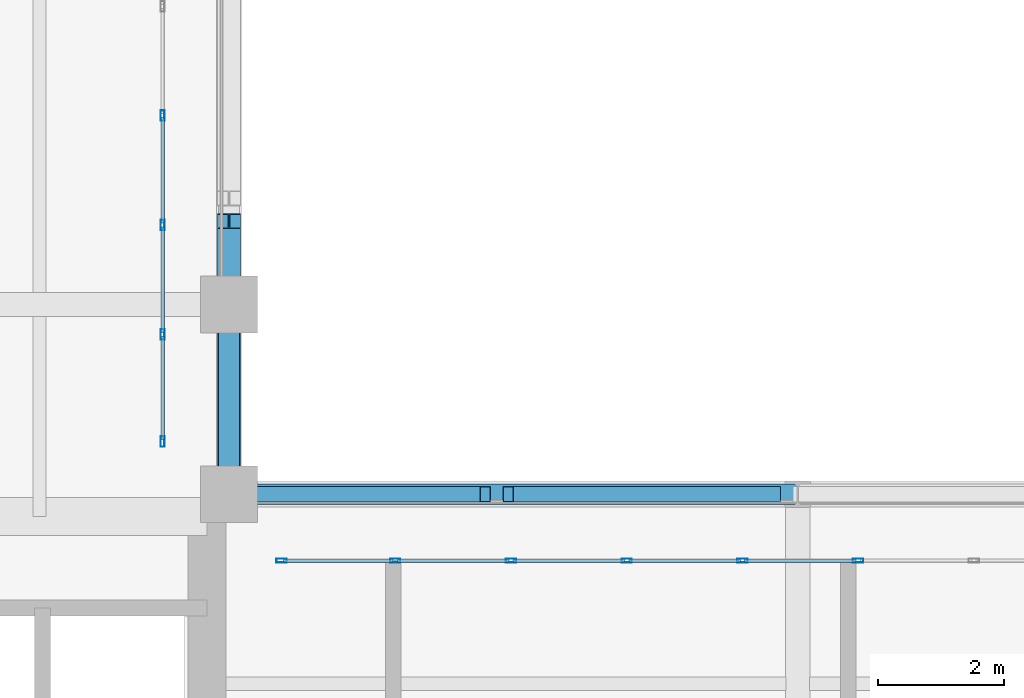
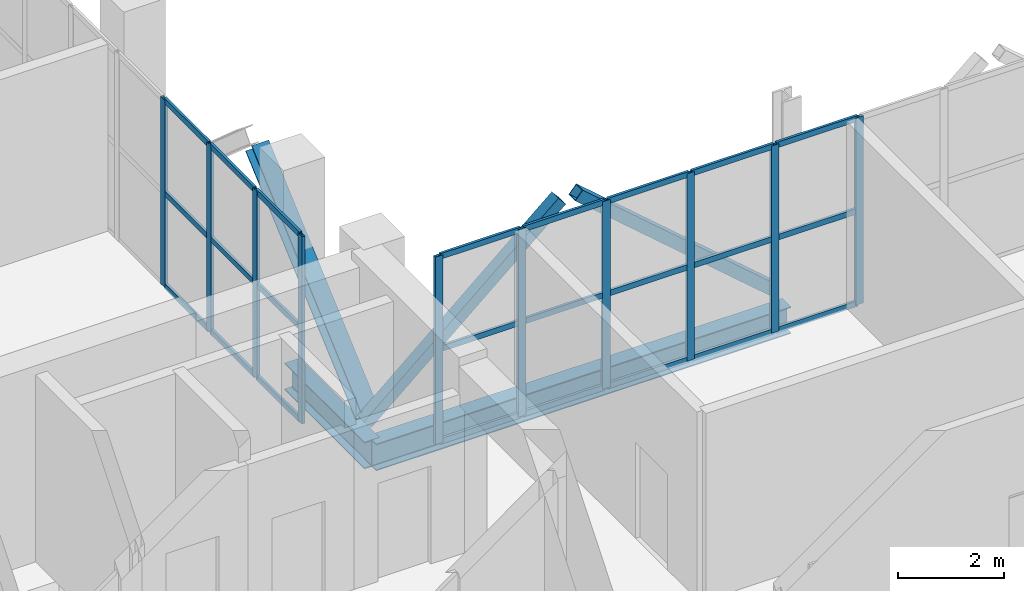
# One storey, part 6 of 26: 37 members, 2 beams, 2 elements without a shape of their own.
"""IFC4 building model written with IfcOpenShell, lengths in metres."""

from ifc_helpers import new_model, si_unit, direction, frame, origin, origin_2d, place, context, subcontext, project, spatial, hollow_rectangle, i_section, extrude, material, layer, layer_set, material_profile, profile_set, type_object, element, aggregate, save


model = new_model("IFC4")

# Units and contexts
model_context = context("Model", 3, precision=1e-05, world=origin(), true_north=direction((0.0, 1.0)))
body_context = subcontext(model_context, "Body", "Model", "MODEL_VIEW")
ifc_project = project(units=[si_unit("LENGTHUNIT", "METRE"), si_unit("AREAUNIT", "SQUARE_METRE"), si_unit("VOLUMEUNIT", "CUBIC_METRE"), si_unit("PLANEANGLEUNIT", "RADIAN"), si_unit("MASSUNIT", "GRAM", prefix="KILO")], contexts=[model_context])

# Site, building, storey
site_placement = place(None, origin())
site = spatial("IfcSite", under=ifc_project, at=site_placement, CompositionType="ELEMENT")
building_placement = place(site_placement, origin())
building = spatial("IfcBuilding", under=site, at=building_placement, Name="Mawjdan Bourse Tower", CompositionType="ELEMENT")
storey_placement = place(building_placement, frame((0.0, 0.0, 226.800048828125)))
storey = spatial("IfcBuildingStorey", under=building, at=storey_placement, Name="L55", CompositionType="ELEMENT", Elevation=226.800048828125)

# Members
ifc_material_1 = material(Name="Structural Steel S355", Category="steel")
ifc_material_profile_1 = material_profile(ifc_material_1, hollow_rectangle(XDim=0.25, YDim=0.25, WallThickness=0.012451171875, at=origin_2d()), Name="HSS250X250X12.5")
ifc_profile_set_1 = profile_set([ifc_material_profile_1], Name="Structural Steel S355")
member_type_1 = type_object("IfcMemberType", Name="BRC-HSS250X250X12.5", PredefinedType="BRACE", material=ifc_profile_set_1)
member_1_placement = place(storey_placement, frame((23.83349609375, 21.0, 0.199951171875), z_axis=(0.756383065472, 0.0, 0.65412893092), x_axis=(0.0, 1.0, 0.0)))
element("IfcMember", 1, at=member_1_placement, inside=storey, type_object=member_type_1, Name="L55 East Outrigger Truss 2 Diagonal 1", PredefinedType="BRACE", context=body_context, shape_type="SweptSolid", body=[
    extrude(hollow_rectangle(XDim=0.25, YDim=0.25, WallThickness=0.012451171875, at=origin_2d()), origin(), (0.0, 0.0, 1.0), 5.579833984375),
])
member_2_placement = place(storey_placement, frame((28.4208984375, 21.0, 3.849853515625), z_axis=(0.756401786398, 0.0, -0.654107282893), x_axis=(0.0, 1.0, 0.0)))
element("IfcMember", 2, at=member_2_placement, inside=storey, type_object=member_type_1, Name="L55 East Outrigger Truss 2 Diagonal 2", PredefinedType="BRACE", context=body_context, shape_type="SweptSolid", body=[
    extrude(hollow_rectangle(XDim=0.25, YDim=0.25, WallThickness=0.012451171875, at=origin_2d()), origin(), (0.0, 0.0, 1.0), 5.580078125),
])
ifc_material_2 = material(Name="Structural Steel S460", Category="steel")
ifc_material_profile_2 = material_profile(ifc_material_2, i_section(OverallWidth=0.3701171875, OverallDepth=0.360107421875, WebThickness=0.01220703125, FlangeThickness=0.019775390625, FilletRadius=0.015869140625, at=origin_2d()), Name="W14X99")
ifc_profile_set_2 = profile_set([ifc_material_profile_2], Name="Structural Steel S460")
member_type_2 = type_object("IfcMemberType", Name="BRC-W14X99", PredefinedType="BRACE", material=ifc_profile_set_2)
member_3_placement = place(storey_placement, frame((24.0, 21.179931640625, 0.199951171875), z_axis=(0.0, 0.750121779504, 0.661299717159), x_axis=(-1.0, 0.0, 0.0)))
element("IfcMember", 3, at=member_3_placement, inside=storey, type_object=member_type_2, Name="L55 North Wing Perimeter Belt Truss Diagonal 1", PredefinedType="BRACE", context=body_context, shape_type="SweptSolid", body=[
    extrude(i_section(OverallWidth=0.3701171875, OverallDepth=0.360107421875, WebThickness=0.01220703125, FlangeThickness=0.019775390625, FilletRadius=0.015869140625, at=origin_2d()), origin(), (0.0, 0.0, 1.0), 5.519287109375),
])

# Curtain wall, members
ifc_material_3 = material(Name="Thermally Broken Aluminium and Solar Glass", Category="aluminium")
ifc_layer = layer(ifc_material_3, 0.219970703125)
ifc_layer_set = layer_set([ifc_layer], Name="Thermally Broken Aluminium and Solar Glass")
curtain_wall_type = type_object("IfcCurtainWallType", Name="CW-RFG", PredefinedType="USERDEFINED", material=ifc_layer_set)
curtain_wall_1_placement = place(storey_placement, origin())
curtain_wall_1 = element("IfcCurtainWall", 4, at=curtain_wall_1_placement, inside=storey, type_object=curtain_wall_type, Name="L55 Refuge Band North Louvre Curtain Wall", ObjectType="REFUGE BAND LOUVRE SCREEN", PredefinedType="USERDEFINED")
ifc_material_4 = material(Name="Thermally Broken Anodised Aluminium", Category="aluminium")
ifc_material_profile_3 = material_profile(ifc_material_4, hollow_rectangle(XDim=0.06494140625, YDim=0.1650390625, WallThickness=0.00390625, at=origin_2d()), Name="ALU-MUL-165X65")
ifc_profile_set_3 = profile_set([ifc_material_profile_3], Name="Thermally Broken Anodised Aluminium")
member_type_3 = type_object("IfcMemberType", Name="MUL-ALU-MUL-165X65", PredefinedType="MULLION", material=ifc_profile_set_3)
member_4_placement = place(storey_placement, frame((33.956298828125, 19.949951171875, 0.0), z_axis=(0.0, 0.0, 1.0), x_axis=(0.0, -1.0, 0.0)))
member_4 = element("IfcMember", 5, at=member_4_placement, type_object=member_type_3, Name="CW-RFG-L55-RFG-N mullion 12", PredefinedType="MULLION", context=body_context, shape_type="SweptSolid", body=[
    extrude(hollow_rectangle(XDim=0.06494140625, YDim=0.1650390625, WallThickness=0.00390625, at=origin_2d()), origin(), (0.0, 0.0, 1.0), 4.300048828125),
])
member_5_placement = place(storey_placement, frame((32.125, 19.949951171875, 0.0), z_axis=(0.0, 0.0, 1.0), x_axis=(0.0, -1.0, 0.0)))
member_5 = element("IfcMember", 6, at=member_5_placement, type_object=member_type_3, Name="CW-RFG-L55-RFG-N mullion 13", PredefinedType="MULLION", context=body_context, shape_type="SweptSolid", body=[
    extrude(hollow_rectangle(XDim=0.06494140625, YDim=0.1650390625, WallThickness=0.00390625, at=origin_2d()), origin(), (0.0, 0.0, 1.0), 4.300048828125),
])
member_6_placement = place(storey_placement, frame((30.293701171875, 19.949951171875, 0.0), z_axis=(0.0, 0.0, 1.0), x_axis=(0.0, -1.0, 0.0)))
member_6 = element("IfcMember", 7, at=member_6_placement, type_object=member_type_3, Name="CW-RFG-L55-RFG-N mullion 14", PredefinedType="MULLION", context=body_context, shape_type="SweptSolid", body=[
    extrude(hollow_rectangle(XDim=0.06494140625, YDim=0.1650390625, WallThickness=0.00390625, at=origin_2d()), origin(), (0.0, 0.0, 1.0), 4.300048828125),
])
member_7_placement = place(storey_placement, frame((28.46240234375, 19.949951171875, 0.0), z_axis=(0.0, 0.0, 1.0), x_axis=(0.0, -1.0, 0.0)))
member_7 = element("IfcMember", 8, at=member_7_placement, type_object=member_type_3, Name="CW-RFG-L55-RFG-N mullion 15", PredefinedType="MULLION", context=body_context, shape_type="SweptSolid", body=[
    extrude(hollow_rectangle(XDim=0.06494140625, YDim=0.1650390625, WallThickness=0.00390625, at=origin_2d()), origin(), (0.0, 0.0, 1.0), 4.300048828125),
])
member_8_placement = place(storey_placement, frame((26.63134765625, 19.949951171875, 0.0), z_axis=(0.0, 0.0, 1.0), x_axis=(0.0, -1.0, 0.0)))
member_8 = element("IfcMember", 9, at=member_8_placement, type_object=member_type_3, Name="CW-RFG-L55-RFG-N mullion 16", PredefinedType="MULLION", context=body_context, shape_type="SweptSolid", body=[
    extrude(hollow_rectangle(XDim=0.06494140625, YDim=0.1650390625, WallThickness=0.00390625, at=origin_2d()), origin(), (0.0, 0.0, 1.0), 4.300048828125),
])
member_9_placement = place(storey_placement, frame((24.83251953125, 19.949951171875, 0.0), z_axis=(0.0, 0.0, 1.0), x_axis=(0.0, -1.0, 0.0)))
member_9 = element("IfcMember", 10, at=member_9_placement, type_object=member_type_3, Name="CW-RFG-L55-RFG-N mullion 17", PredefinedType="MULLION", context=body_context, shape_type="SweptSolid", body=[
    extrude(hollow_rectangle(XDim=0.06494140625, YDim=0.1650390625, WallThickness=0.00390625, at=origin_2d()), origin(), (0.0, 0.0, 1.0), 4.300048828125),
])

curtain_wall_2_placement = place(storey_placement, origin())
curtain_wall_2 = element("IfcCurtainWall", 11, at=curtain_wall_2_placement, inside=storey, type_object=curtain_wall_type, Name="L55 Refuge Band North-Wing Louvre Curtain Wall", ObjectType="REFUGE BAND LOUVRE SCREEN", PredefinedType="USERDEFINED")
member_10_placement = place(storey_placement, frame((22.949951171875, 21.83251953125, 0.0), z_axis=(0.0, 0.0, 1.0), x_axis=(-1.0, 0.0, 0.0)))
member_10 = element("IfcMember", 12, at=member_10_placement, type_object=member_type_3, Name="CW-RFG-L55-RFG-W mullion 1", PredefinedType="MULLION", context=body_context, shape_type="SweptSolid", body=[
    extrude(hollow_rectangle(XDim=0.06494140625, YDim=0.1650390625, WallThickness=0.00390625, at=origin_2d()), origin(), (0.0, 0.0, 1.0), 4.300048828125),
])
member_11_placement = place(storey_placement, frame((22.949951171875, 23.530029296875, 0.0), z_axis=(0.0, 0.0, 1.0), x_axis=(-1.0, 0.0, 0.0)))
member_11 = element("IfcMember", 13, at=member_11_placement, type_object=member_type_3, Name="CW-RFG-L55-RFG-W mullion 2", PredefinedType="MULLION", context=body_context, shape_type="SweptSolid", body=[
    extrude(hollow_rectangle(XDim=0.06494140625, YDim=0.1650390625, WallThickness=0.00390625, at=origin_2d()), origin(), (0.0, 0.0, 1.0), 4.300048828125),
])
member_12_placement = place(storey_placement, frame((22.949951171875, 25.260009765625, 0.0), z_axis=(0.0, 0.0, 1.0), x_axis=(-1.0, 0.0, 0.0)))
member_12 = element("IfcMember", 14, at=member_12_placement, type_object=member_type_3, Name="CW-RFG-L55-RFG-W mullion 3", PredefinedType="MULLION", context=body_context, shape_type="SweptSolid", body=[
    extrude(hollow_rectangle(XDim=0.06494140625, YDim=0.1650390625, WallThickness=0.00390625, at=origin_2d()), origin(), (0.0, 0.0, 1.0), 4.300048828125),
])
member_13_placement = place(storey_placement, frame((22.949951171875, 26.989990234375, 0.0), z_axis=(0.0, 0.0, 1.0), x_axis=(-1.0, 0.0, 0.0)))
member_13 = element("IfcMember", 15, at=member_13_placement, type_object=member_type_3, Name="CW-RFG-L55-RFG-W mullion 4", PredefinedType="MULLION", context=body_context, shape_type="SweptSolid", body=[
    extrude(hollow_rectangle(XDim=0.06494140625, YDim=0.1650390625, WallThickness=0.00390625, at=origin_2d()), origin(), (0.0, 0.0, 1.0), 4.300048828125),
])

# Beams
ifc_material_profile_4 = material_profile(ifc_material_1, i_section(OverallWidth=0.324951171875, OverallDepth=0.616943359375, WebThickness=0.013916015625, FlangeThickness=0.021484375, FilletRadius=0.017333984375, at=origin_2d()), Name="W24X117")
ifc_profile_set_4 = profile_set([ifc_material_profile_4], Name="Structural Steel S355")
beam_type = type_object("IfcBeamType", Name="SPN-W24X117", PredefinedType="SPANDREL", material=ifc_profile_set_4)
beam_1_placement = place(storey_placement, frame((24.0, 21.0, -0.588623046875), z_axis=(1.0, 0.0, 0.0), x_axis=(0.0, 1.0, 0.0)))
element("IfcBeam", 16, at=beam_1_placement, inside=storey, type_object=beam_type, Name="L55 Perimeter Masonry-Shelf Spandrel 012", PredefinedType="SPANDREL", context=body_context, shape_type="SweptSolid", body=[
    extrude(i_section(OverallWidth=0.324951171875, OverallDepth=0.616943359375, WebThickness=0.013916015625, FlangeThickness=0.021484375, FilletRadius=0.017333984375, at=origin_2d()), origin(), (0.0, 0.0, 1.0), 9.0),
])
beam_2_placement = place(storey_placement, frame((24.0, 21.0, -0.588623046875), z_axis=(0.0, 1.0, 0.0), x_axis=(-1.0, 0.0, 0.0)))
element("IfcBeam", 17, at=beam_2_placement, inside=storey, type_object=beam_type, Name="L55 North Wing Spandrel 055", PredefinedType="SPANDREL", context=body_context, shape_type="SweptSolid", body=[
    extrude(i_section(OverallWidth=0.324951171875, OverallDepth=0.616943359375, WebThickness=0.013916015625, FlangeThickness=0.021484375, FilletRadius=0.017333984375, at=origin_2d()), origin(), (0.0, 0.0, 1.0), 3.0),
])

# Member
ifc_material_profile_5 = material_profile(ifc_material_4, hollow_rectangle(XDim=0.054931640625, YDim=0.1298828125, WallThickness=0.00341796875, at=origin_2d()), Name="ALU-TRN-130X55")
ifc_profile_set_5 = profile_set([ifc_material_profile_5], Name="Thermally Broken Anodised Aluminium")
member_type_4 = type_object("IfcMemberType", Name="TRN-ALU-TRN-130X55", PredefinedType="USERDEFINED", material=ifc_profile_set_5)
member_14_placement = place(storey_placement, frame((33.923828125, 19.949951171875, 0.02734375), z_axis=(-1.0, 0.0, 0.0), x_axis=(0.0, -1.0, 0.0)))
member_14 = element("IfcMember", 18, at=member_14_placement, type_object=member_type_4, Name="CW-RFG-L55-RFG-N transom 12.1", ObjectType="TRANSOM", PredefinedType="USERDEFINED", context=body_context, shape_type="SweptSolid", body=[
    extrude(hollow_rectangle(XDim=0.054931640625, YDim=0.1298828125, WallThickness=0.00341796875, at=origin_2d()), origin(), (0.0, 0.0, 1.0), 1.766357421875),
])

member_15_placement = place(storey_placement, frame((33.923828125, 19.949951171875, 2.14990234375), z_axis=(-1.0, 0.0, 0.0), x_axis=(0.0, -1.0, 0.0)))
member_15 = element("IfcMember", 19, at=member_15_placement, type_object=member_type_4, Name="CW-RFG-L55-RFG-N transom 12.2", ObjectType="TRANSOM", PredefinedType="USERDEFINED", context=body_context, shape_type="SweptSolid", body=[
    extrude(hollow_rectangle(XDim=0.054931640625, YDim=0.1298828125, WallThickness=0.00341796875, at=origin_2d()), origin(), (0.0, 0.0, 1.0), 1.766357421875),
])

member_16_placement = place(storey_placement, frame((33.923828125, 19.949951171875, 4.2724609375), z_axis=(-1.0, 0.0, 0.0), x_axis=(0.0, -1.0, 0.0)))
member_16 = element("IfcMember", 20, at=member_16_placement, type_object=member_type_4, Name="CW-RFG-L55-RFG-N transom 12.3", ObjectType="TRANSOM", PredefinedType="USERDEFINED", context=body_context, shape_type="SweptSolid", body=[
    extrude(hollow_rectangle(XDim=0.054931640625, YDim=0.1298828125, WallThickness=0.00341796875, at=origin_2d()), origin(), (0.0, 0.0, 1.0), 1.766357421875),
])

member_17_placement = place(storey_placement, frame((32.092529296875, 19.949951171875, 0.02734375), z_axis=(-1.0, 0.0, 0.0), x_axis=(0.0, -1.0, 0.0)))
member_17 = element("IfcMember", 21, at=member_17_placement, type_object=member_type_4, Name="CW-RFG-L55-RFG-N transom 13.1", ObjectType="TRANSOM", PredefinedType="USERDEFINED", context=body_context, shape_type="SweptSolid", body=[
    extrude(hollow_rectangle(XDim=0.054931640625, YDim=0.1298828125, WallThickness=0.00341796875, at=origin_2d()), origin(), (0.0, 0.0, 1.0), 1.766357421875),
])

member_18_placement = place(storey_placement, frame((32.092529296875, 19.949951171875, 2.14990234375), z_axis=(-1.0, 0.0, 0.0), x_axis=(0.0, -1.0, 0.0)))
member_18 = element("IfcMember", 22, at=member_18_placement, type_object=member_type_4, Name="CW-RFG-L55-RFG-N transom 13.2", ObjectType="TRANSOM", PredefinedType="USERDEFINED", context=body_context, shape_type="SweptSolid", body=[
    extrude(hollow_rectangle(XDim=0.054931640625, YDim=0.1298828125, WallThickness=0.00341796875, at=origin_2d()), origin(), (0.0, 0.0, 1.0), 1.766357421875),
])

member_19_placement = place(storey_placement, frame((32.092529296875, 19.949951171875, 4.2724609375), z_axis=(-1.0, 0.0, 0.0), x_axis=(0.0, -1.0, 0.0)))
member_19 = element("IfcMember", 23, at=member_19_placement, type_object=member_type_4, Name="CW-RFG-L55-RFG-N transom 13.3", ObjectType="TRANSOM", PredefinedType="USERDEFINED", context=body_context, shape_type="SweptSolid", body=[
    extrude(hollow_rectangle(XDim=0.054931640625, YDim=0.1298828125, WallThickness=0.00341796875, at=origin_2d()), origin(), (0.0, 0.0, 1.0), 1.766357421875),
])

member_20_placement = place(storey_placement, frame((30.26123046875, 19.949951171875, 0.02734375), z_axis=(-1.0, 0.0, 0.0), x_axis=(0.0, -1.0, 0.0)))
member_20 = element("IfcMember", 24, at=member_20_placement, type_object=member_type_4, Name="CW-RFG-L55-RFG-N transom 14.1", ObjectType="TRANSOM", PredefinedType="USERDEFINED", context=body_context, shape_type="SweptSolid", body=[
    extrude(hollow_rectangle(XDim=0.054931640625, YDim=0.1298828125, WallThickness=0.00341796875, at=origin_2d()), origin(), (0.0, 0.0, 1.0), 1.76611328125),
])

member_21_placement = place(storey_placement, frame((30.26123046875, 19.949951171875, 2.14990234375), z_axis=(-1.0, 0.0, 0.0), x_axis=(0.0, -1.0, 0.0)))
member_21 = element("IfcMember", 25, at=member_21_placement, type_object=member_type_4, Name="CW-RFG-L55-RFG-N transom 14.2", ObjectType="TRANSOM", PredefinedType="USERDEFINED", context=body_context, shape_type="SweptSolid", body=[
    extrude(hollow_rectangle(XDim=0.054931640625, YDim=0.1298828125, WallThickness=0.00341796875, at=origin_2d()), origin(), (0.0, 0.0, 1.0), 1.76611328125),
])

member_22_placement = place(storey_placement, frame((30.26123046875, 19.949951171875, 4.2724609375), z_axis=(-1.0, 0.0, 0.0), x_axis=(0.0, -1.0, 0.0)))
member_22 = element("IfcMember", 26, at=member_22_placement, type_object=member_type_4, Name="CW-RFG-L55-RFG-N transom 14.3", ObjectType="TRANSOM", PredefinedType="USERDEFINED", context=body_context, shape_type="SweptSolid", body=[
    extrude(hollow_rectangle(XDim=0.054931640625, YDim=0.1298828125, WallThickness=0.00341796875, at=origin_2d()), origin(), (0.0, 0.0, 1.0), 1.76611328125),
])

member_23_placement = place(storey_placement, frame((28.429931640625, 19.949951171875, 0.02734375), z_axis=(-1.0, 0.0, 0.0), x_axis=(0.0, -1.0, 0.0)))
member_23 = element("IfcMember", 27, at=member_23_placement, type_object=member_type_4, Name="CW-RFG-L55-RFG-N transom 15.1", ObjectType="TRANSOM", PredefinedType="USERDEFINED", context=body_context, shape_type="SweptSolid", body=[
    extrude(hollow_rectangle(XDim=0.054931640625, YDim=0.1298828125, WallThickness=0.00341796875, at=origin_2d()), origin(), (0.0, 0.0, 1.0), 1.76611328125),
])

member_24_placement = place(storey_placement, frame((28.429931640625, 19.949951171875, 2.14990234375), z_axis=(-1.0, 0.0, 0.0), x_axis=(0.0, -1.0, 0.0)))
member_24 = element("IfcMember", 28, at=member_24_placement, type_object=member_type_4, Name="CW-RFG-L55-RFG-N transom 15.2", ObjectType="TRANSOM", PredefinedType="USERDEFINED", context=body_context, shape_type="SweptSolid", body=[
    extrude(hollow_rectangle(XDim=0.054931640625, YDim=0.1298828125, WallThickness=0.00341796875, at=origin_2d()), origin(), (0.0, 0.0, 1.0), 1.76611328125),
])

member_25_placement = place(storey_placement, frame((28.429931640625, 19.949951171875, 4.2724609375), z_axis=(-1.0, 0.0, 0.0), x_axis=(0.0, -1.0, 0.0)))
member_25 = element("IfcMember", 29, at=member_25_placement, type_object=member_type_4, Name="CW-RFG-L55-RFG-N transom 15.3", ObjectType="TRANSOM", PredefinedType="USERDEFINED", context=body_context, shape_type="SweptSolid", body=[
    extrude(hollow_rectangle(XDim=0.054931640625, YDim=0.1298828125, WallThickness=0.00341796875, at=origin_2d()), origin(), (0.0, 0.0, 1.0), 1.76611328125),
])

member_26_placement = place(storey_placement, frame((26.5986328125, 19.949951171875, 0.02734375), z_axis=(-1.0, 0.0, 0.0), x_axis=(0.0, -1.0, 0.0)))
member_26 = element("IfcMember", 30, at=member_26_placement, type_object=member_type_4, Name="CW-RFG-L55-RFG-N transom 16.1", ObjectType="TRANSOM", PredefinedType="USERDEFINED", context=body_context, shape_type="SweptSolid", body=[
    extrude(hollow_rectangle(XDim=0.054931640625, YDim=0.1298828125, WallThickness=0.00341796875, at=origin_2d()), origin(), (0.0, 0.0, 1.0), 1.733642578125),
])

member_27_placement = place(storey_placement, frame((26.5986328125, 19.949951171875, 2.14990234375), z_axis=(-1.0, 0.0, 0.0), x_axis=(0.0, -1.0, 0.0)))
member_27 = element("IfcMember", 31, at=member_27_placement, type_object=member_type_4, Name="CW-RFG-L55-RFG-N transom 16.2", ObjectType="TRANSOM", PredefinedType="USERDEFINED", context=body_context, shape_type="SweptSolid", body=[
    extrude(hollow_rectangle(XDim=0.054931640625, YDim=0.1298828125, WallThickness=0.00341796875, at=origin_2d()), origin(), (0.0, 0.0, 1.0), 1.733642578125),
])

member_28_placement = place(storey_placement, frame((26.5986328125, 19.949951171875, 4.2724609375), z_axis=(-1.0, 0.0, 0.0), x_axis=(0.0, -1.0, 0.0)))
member_28 = element("IfcMember", 32, at=member_28_placement, type_object=member_type_4, Name="CW-RFG-L55-RFG-N transom 16.3", ObjectType="TRANSOM", PredefinedType="USERDEFINED", context=body_context, shape_type="SweptSolid", body=[
    extrude(hollow_rectangle(XDim=0.054931640625, YDim=0.1298828125, WallThickness=0.00341796875, at=origin_2d()), origin(), (0.0, 0.0, 1.0), 1.733642578125),
])

aggregate(curtain_wall_1, [member_4, member_5, member_6, member_7, member_8, member_9, member_14, member_15, member_16, member_17, member_18, member_19, member_20, member_21, member_22, member_23, member_24, member_25, member_26, member_27, member_28])

member_29_placement = place(storey_placement, frame((22.949951171875, 21.864990234375, 0.02734375), z_axis=(0.0, 1.0, 0.0), x_axis=(-1.0, 0.0, 0.0)))
member_29 = element("IfcMember", 33, at=member_29_placement, type_object=member_type_4, Name="CW-RFG-L55-RFG-W transom 1.1", ObjectType="TRANSOM", PredefinedType="USERDEFINED", context=body_context, shape_type="SweptSolid", body=[
    extrude(hollow_rectangle(XDim=0.054931640625, YDim=0.1298828125, WallThickness=0.00341796875, at=origin_2d()), origin(), (0.0, 0.0, 1.0), 1.632568359375),
])

member_30_placement = place(storey_placement, frame((22.949951171875, 21.864990234375, 2.14990234375), z_axis=(0.0, 1.0, 0.0), x_axis=(-1.0, 0.0, 0.0)))
member_30 = element("IfcMember", 34, at=member_30_placement, type_object=member_type_4, Name="CW-RFG-L55-RFG-W transom 1.2", ObjectType="TRANSOM", PredefinedType="USERDEFINED", context=body_context, shape_type="SweptSolid", body=[
    extrude(hollow_rectangle(XDim=0.054931640625, YDim=0.1298828125, WallThickness=0.00341796875, at=origin_2d()), origin(), (0.0, 0.0, 1.0), 1.632568359375),
])

member_31_placement = place(storey_placement, frame((22.949951171875, 21.864990234375, 4.2724609375), z_axis=(0.0, 1.0, 0.0), x_axis=(-1.0, 0.0, 0.0)))
member_31 = element("IfcMember", 35, at=member_31_placement, type_object=member_type_4, Name="CW-RFG-L55-RFG-W transom 1.3", ObjectType="TRANSOM", PredefinedType="USERDEFINED", context=body_context, shape_type="SweptSolid", body=[
    extrude(hollow_rectangle(XDim=0.054931640625, YDim=0.1298828125, WallThickness=0.00341796875, at=origin_2d()), origin(), (0.0, 0.0, 1.0), 1.632568359375),
])

member_32_placement = place(storey_placement, frame((22.949951171875, 23.5625, 0.02734375), z_axis=(0.0, 1.0, 0.0), x_axis=(-1.0, 0.0, 0.0)))
member_32 = element("IfcMember", 36, at=member_32_placement, type_object=member_type_4, Name="CW-RFG-L55-RFG-W transom 2.1", ObjectType="TRANSOM", PredefinedType="USERDEFINED", context=body_context, shape_type="SweptSolid", body=[
    extrude(hollow_rectangle(XDim=0.054931640625, YDim=0.1298828125, WallThickness=0.00341796875, at=origin_2d()), origin(), (0.0, 0.0, 1.0), 1.6650390625),
])

member_33_placement = place(storey_placement, frame((22.949951171875, 23.5625, 2.14990234375), z_axis=(0.0, 1.0, 0.0), x_axis=(-1.0, 0.0, 0.0)))
member_33 = element("IfcMember", 37, at=member_33_placement, type_object=member_type_4, Name="CW-RFG-L55-RFG-W transom 2.2", ObjectType="TRANSOM", PredefinedType="USERDEFINED", context=body_context, shape_type="SweptSolid", body=[
    extrude(hollow_rectangle(XDim=0.054931640625, YDim=0.1298828125, WallThickness=0.00341796875, at=origin_2d()), origin(), (0.0, 0.0, 1.0), 1.6650390625),
])

member_34_placement = place(storey_placement, frame((22.949951171875, 23.5625, 4.2724609375), z_axis=(0.0, 1.0, 0.0), x_axis=(-1.0, 0.0, 0.0)))
member_34 = element("IfcMember", 38, at=member_34_placement, type_object=member_type_4, Name="CW-RFG-L55-RFG-W transom 2.3", ObjectType="TRANSOM", PredefinedType="USERDEFINED", context=body_context, shape_type="SweptSolid", body=[
    extrude(hollow_rectangle(XDim=0.054931640625, YDim=0.1298828125, WallThickness=0.00341796875, at=origin_2d()), origin(), (0.0, 0.0, 1.0), 1.6650390625),
])

member_35_placement = place(storey_placement, frame((22.949951171875, 25.29248046875, 0.02734375), z_axis=(0.0, 1.0, 0.0), x_axis=(-1.0, 0.0, 0.0)))
member_35 = element("IfcMember", 39, at=member_35_placement, type_object=member_type_4, Name="CW-RFG-L55-RFG-W transom 3.1", ObjectType="TRANSOM", PredefinedType="USERDEFINED", context=body_context, shape_type="SweptSolid", body=[
    extrude(hollow_rectangle(XDim=0.054931640625, YDim=0.1298828125, WallThickness=0.00341796875, at=origin_2d()), origin(), (0.0, 0.0, 1.0), 1.6650390625),
])

member_36_placement = place(storey_placement, frame((22.949951171875, 25.29248046875, 2.14990234375), z_axis=(0.0, 1.0, 0.0), x_axis=(-1.0, 0.0, 0.0)))
member_36 = element("IfcMember", 40, at=member_36_placement, type_object=member_type_4, Name="CW-RFG-L55-RFG-W transom 3.2", ObjectType="TRANSOM", PredefinedType="USERDEFINED", context=body_context, shape_type="SweptSolid", body=[
    extrude(hollow_rectangle(XDim=0.054931640625, YDim=0.1298828125, WallThickness=0.00341796875, at=origin_2d()), origin(), (0.0, 0.0, 1.0), 1.6650390625),
])

member_37_placement = place(storey_placement, frame((22.949951171875, 25.29248046875, 4.2724609375), z_axis=(0.0, 1.0, 0.0), x_axis=(-1.0, 0.0, 0.0)))
member_37 = element("IfcMember", 41, at=member_37_placement, type_object=member_type_4, Name="CW-RFG-L55-RFG-W transom 3.3", ObjectType="TRANSOM", PredefinedType="USERDEFINED", context=body_context, shape_type="SweptSolid", body=[
    extrude(hollow_rectangle(XDim=0.054931640625, YDim=0.1298828125, WallThickness=0.00341796875, at=origin_2d()), origin(), (0.0, 0.0, 1.0), 1.6650390625),
])

aggregate(curtain_wall_2, [member_10, member_11, member_12, member_13, member_29, member_30, member_31, member_32, member_33, member_34, member_35, member_36, member_37])

save(model, "model.ifc")
